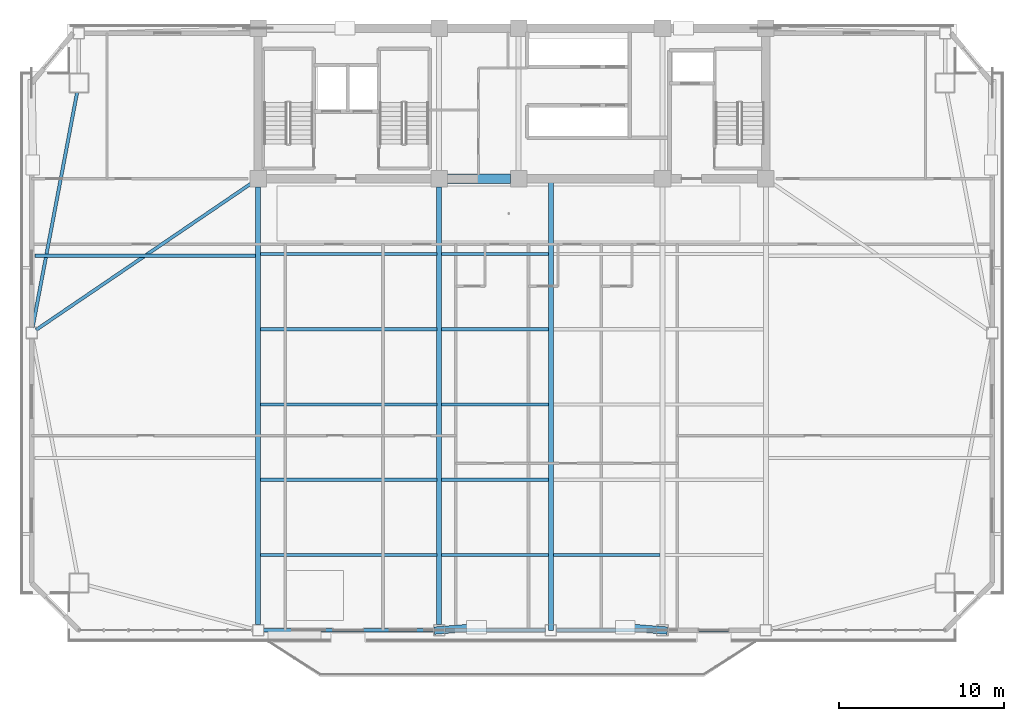
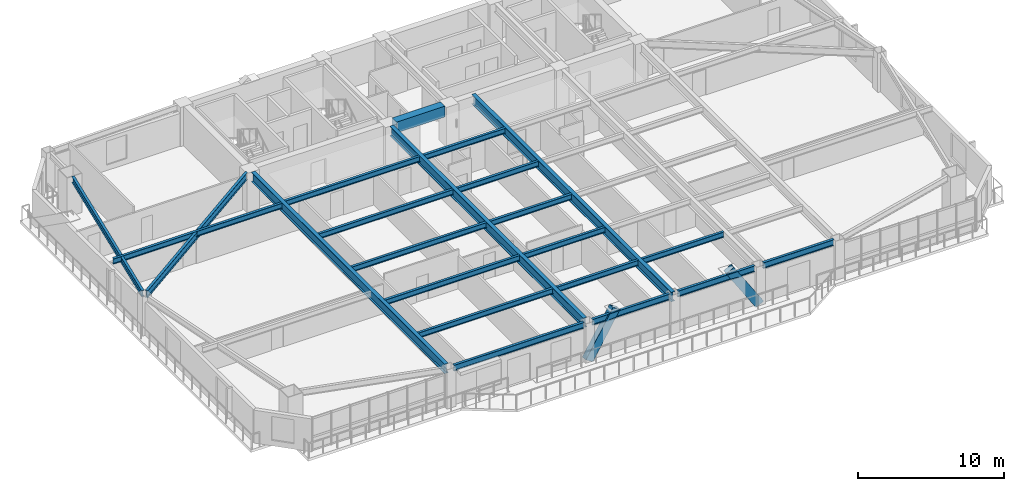
# One storey, part 3 of 15: 22 beams, 2 members.
"""IFC4 building model written with IfcOpenShell, lengths in metres."""

from ifc_helpers import new_model, si_unit, direction, frame, origin, origin_2d, place, context, subcontext, project, spatial, rectangle, hollow_rectangle, i_section, extrude, source, transform, mapped, material, material_profile, profile_set, type_object, element, save


model = new_model("IFC4")

# Units and contexts
model_context = context("Model", 3, precision=1e-05, world=origin(), true_north=direction((0.0, 1.0)))
body_context = subcontext(model_context, "Body", "Model", "MODEL_VIEW")
ifc_project = project(units=[si_unit("LENGTHUNIT", "METRE"), si_unit("AREAUNIT", "SQUARE_METRE"), si_unit("VOLUMEUNIT", "CUBIC_METRE"), si_unit("PLANEANGLEUNIT", "RADIAN"), si_unit("MASSUNIT", "GRAM", prefix="KILO")], contexts=[model_context])

# Site, building, storey
site_placement = place(None, origin())
site = spatial("IfcSite", under=ifc_project, at=site_placement, CompositionType="ELEMENT")
building_placement = place(site_placement, origin())
building = spatial("IfcBuilding", under=site, at=building_placement, Name="Giltprow Tower", CompositionType="ELEMENT")
storey_placement = place(building_placement, frame((0.0, 0.0, 180.699951171875)))
storey = spatial("IfcBuildingStorey", under=building, at=storey_placement, Name="L45", CompositionType="ELEMENT", Elevation=180.699951171875)

# Beams
ifc_material_1 = material(Name="Structural steel Q355B", Category="steel")
ifc_material_profile_1 = material_profile(ifc_material_1, i_section(OverallWidth=0.199951171875, OverallDepth=0.449951171875, WebThickness=0.009033203125, FlangeThickness=0.013916015625, at=origin_2d()), Name="HN 450x200x9x14")
ifc_profile_set_1 = profile_set([ifc_material_profile_1], Name="Structural steel Q355B")
beam_type_1 = type_object("IfcBeamType", Name="BM-JOIST-HN450", PredefinedType="JOIST", material=ifc_profile_set_1)
shared_shape_1 = source(origin(), body_context, "Body", "SweptSolid", [
    extrude(i_section(OverallWidth=0.199951171875, OverallDepth=0.449951171875, WebThickness=0.009033203125, FlangeThickness=0.013916015625, at=origin_2d()), origin(), (0.0, 0.0, 1.0), 10.659912109375),
])
for number, where, z_axis, x_axis, name in (
    (1, (19.9951171875, 14.702880859375, 3.045166015625), (1.0, 0.0, 0.0), (0.0, 1.0, 0.0), "L45 Composite Floor Joist 1-1"),
    (2, (19.9951171875, 19.2529296875, 3.045166015625), (1.0, 0.0, 0.0), (0.0, 1.0, 0.0), "L45 Composite Floor Joist 2-1"),
    (3, (19.9951171875, 23.802001953125, 3.045166015625), (1.0, 0.0, 0.0), (0.0, 1.0, 0.0), "L45 Composite Floor Joist 3-1"),
    (4, (19.9951171875, 28.35107421875, 3.045166015625), (1.0, 0.0, 0.0), (0.0, 1.0, 0.0), "L45 Composite Floor Joist 4-1"),
    (5, (19.9951171875, 32.90087890625, 3.045166015625), (1.0, 0.0, 0.0), (0.0, 1.0, 0.0), "L45 Composite Floor Joist 5-1"),
):
    element("IfcBeam", number, at=place(storey_placement, frame(where, z_axis=z_axis, x_axis=x_axis)), inside=storey, type_object=beam_type_1, Name=name, PredefinedType="JOIST", context=body_context, shape_type="MappedRepresentation", body=[
        mapped(shared_shape_1, transform((0.0, 0.0, 0.0), x_axis=(1.0, 0.0, 0.0), y_axis=(0.0, 1.0, 0.0), z_axis=(0.0, 0.0, 1.0), scale=1.0)),
    ])
shared_shape_2 = source(origin(), body_context, "Body", "SweptSolid", [
    extrude(i_section(OverallWidth=0.199951171875, OverallDepth=0.449951171875, WebThickness=0.009033203125, FlangeThickness=0.013916015625, at=origin_2d()), origin(), (0.0, 0.0, 1.0), 6.4599609375),
])
for number, where, z_axis, x_axis, name in (
    (6, (30.945068359375, 14.702880859375, 3.045166015625), (1.0, 0.0, 0.0), (0.0, 1.0, 0.0), "L45 Composite Floor Joist 1-2"),
    (7, (37.695068359375, 14.702880859375, 3.045166015625), (1.0, 0.0, 0.0), (0.0, 1.0, 0.0), "L45 Composite Floor Joist 1-3"),
    (8, (30.945068359375, 19.2529296875, 3.045166015625), (1.0, 0.0, 0.0), (0.0, 1.0, 0.0), "L45 Composite Floor Joist 2-2"),
    (9, (30.945068359375, 23.802001953125, 3.045166015625), (1.0, 0.0, 0.0), (0.0, 1.0, 0.0), "L45 Composite Floor Joist 3-2"),
    (10, (30.945068359375, 28.35107421875, 3.045166015625), (1.0, 0.0, 0.0), (0.0, 1.0, 0.0), "L45 Composite Floor Joist 4-2"),
    (11, (30.945068359375, 32.90087890625, 3.045166015625), (1.0, 0.0, 0.0), (0.0, 1.0, 0.0), "L45 Composite Floor Joist 5-2"),
):
    element("IfcBeam", number, at=place(storey_placement, frame(where, z_axis=z_axis, x_axis=x_axis)), inside=storey, type_object=beam_type_1, Name=name, PredefinedType="JOIST", context=body_context, shape_type="MappedRepresentation", body=[
        mapped(shared_shape_2, transform((0.0, 0.0, 0.0), x_axis=(1.0, 0.0, 0.0), y_axis=(0.0, 1.0, 0.0), z_axis=(0.0, 0.0, 1.0), scale=1.0)),
    ])
ifc_material_2 = material(Name="Concrete C50", Category="concrete")
ifc_material_profile_2 = material_profile(ifc_material_2, rectangle(XDim=0.60009765625, YDim=0.89990234375, at=origin_2d()), Name="RC 900x600")
ifc_profile_set_2 = profile_set([ifc_material_profile_2], Name="Concrete C50")
beam_type_2 = type_object("IfcBeamType", Name="BM-CPL-RC900", PredefinedType="LINTEL", material=ifc_profile_set_2)
shared_shape_3 = source(origin(), body_context, "Body", "SweptSolid", [
    extrude(rectangle(XDim=0.60009765625, YDim=0.89990234375, at=origin_2d()), origin(), (0.0, 0.0, 1.0), 3.830078125),
])
beam_1_placement = place(storey_placement, frame((31.284912109375, 37.449951171875, 2.820068359375), z_axis=(1.0, 0.0, 0.0), x_axis=(0.0, 1.0, 0.0)))
element("IfcBeam", 12, at=beam_1_placement, inside=storey, type_object=beam_type_2, Name="L45 Core Coupling Beam CB-1", PredefinedType="LINTEL", context=body_context, shape_type="MappedRepresentation", body=[
    mapped(shared_shape_3, transform((0.0, 0.0, 0.0), x_axis=(1.0, 0.0, 0.0), y_axis=(0.0, 1.0, 0.0), z_axis=(0.0, 0.0, 1.0), scale=1.0)),
])
ifc_material_profile_3 = material_profile(ifc_material_1, i_section(OverallWidth=0.199951171875, OverallDepth=0.5, WebThickness=0.010009765625, FlangeThickness=0.01611328125, at=origin_2d()), Name="HN 500x200x10x16")
ifc_profile_set_3 = profile_set([ifc_material_profile_3], Name="Structural steel Q355B")
beam_type_3 = type_object("IfcBeamType", Name="BM-SPAN-HN500", PredefinedType="SPANDREL", material=ifc_profile_set_3)
shared_shape_4 = source(origin(), body_context, "Body", "SweptSolid", [
    extrude(i_section(OverallWidth=0.199951171875, OverallDepth=0.5, WebThickness=0.010009765625, FlangeThickness=0.01611328125, at=origin_2d()), origin(), (0.0, 0.0, 1.0), 10.280029296875),
])
beam_2_placement = place(storey_placement, frame((20.18505859375, 10.154052734375, 3.02001953125), z_axis=(1.0, 0.0, 0.0), x_axis=(0.0, 1.0, 0.0)))
element("IfcBeam", 13, at=beam_2_placement, inside=storey, type_object=beam_type_3, Name="L45 Perimeter Spandrel Beam S1-S2", PredefinedType="SPANDREL", context=body_context, shape_type="MappedRepresentation", body=[
    mapped(shared_shape_4, transform((0.0, 0.0, 0.0), x_axis=(1.0, 0.0, 0.0), y_axis=(0.0, 1.0, 0.0), z_axis=(0.0, 0.0, 1.0), scale=1.0)),
])
shared_shape_5 = source(origin(), body_context, "Body", "SweptSolid", [
    extrude(i_section(OverallWidth=0.199951171875, OverallDepth=0.5, WebThickness=0.010009765625, FlangeThickness=0.01611328125, at=origin_2d()), origin(), (0.0, 0.0, 1.0), 6.080078125),
])
for number, where, z_axis, x_axis, name in (
    (14, (31.135009765625, 10.154052734375, 3.02001953125), (1.0, 0.0, 0.0), (0.0, 1.0, 0.0), "L45 Perimeter Spandrel Beam S2-S_MID"),
    (15, (37.885009765625, 10.154052734375, 3.02001953125), (1.0, 0.0, 0.0), (0.0, 1.0, 0.0), "L45 Perimeter Spandrel Beam S_MID-S3"),
):
    element("IfcBeam", number, at=place(storey_placement, frame(where, z_axis=z_axis, x_axis=x_axis)), inside=storey, type_object=beam_type_3, Name=name, PredefinedType="SPANDREL", context=body_context, shape_type="MappedRepresentation", body=[
        mapped(shared_shape_5, transform((0.0, 0.0, 0.0), x_axis=(1.0, 0.0, 0.0), y_axis=(0.0, 1.0, 0.0), z_axis=(0.0, 0.0, 1.0), scale=1.0)),
    ])
shared_shape_6 = source(origin(), body_context, "Body", "SweptSolid", [
    extrude(i_section(OverallWidth=0.199951171875, OverallDepth=0.5, WebThickness=0.010009765625, FlangeThickness=0.01611328125, at=origin_2d()), origin(), (0.0, 0.0, 1.0), 5.580078125),
])
beam_3_placement = place(storey_placement, frame((44.635009765625, 10.154052734375, 3.02001953125), z_axis=(1.0, 0.0, 0.0), x_axis=(0.0, 1.0, 0.0)))
element("IfcBeam", 16, at=beam_3_placement, inside=storey, type_object=beam_type_3, Name="L45 Perimeter Spandrel Beam S3-S4", PredefinedType="SPANDREL", context=body_context, shape_type="MappedRepresentation", body=[
    mapped(shared_shape_6, transform((0.0, 0.0, 0.0), x_axis=(1.0, 0.0, 0.0), y_axis=(0.0, 1.0, 0.0), z_axis=(0.0, 0.0, 1.0), scale=1.0)),
])
shared_shape_7 = source(origin(), body_context, "Body", "SweptSolid", [
    extrude(i_section(OverallWidth=0.199951171875, OverallDepth=0.5, WebThickness=0.010009765625, FlangeThickness=0.01611328125, at=origin_2d()), origin(), (0.0, 0.0, 1.0), 14.46044921875),
])
beam_4_placement = place(storey_placement, frame((8.906005859375, 42.6640625, 3.02001953125), z_axis=(-0.186021185186, -0.982545733624, 0.0), x_axis=(0.982545733624, -0.186021185186, 0.0)))
element("IfcBeam", 17, at=beam_4_placement, inside=storey, type_object=beam_type_3, Name="L45 Perimeter Spandrel Beam MC_NW-W_MID", PredefinedType="SPANDREL", context=body_context, shape_type="MappedRepresentation", body=[
    mapped(shared_shape_7, transform((0.0, 0.0, 0.0), x_axis=(1.0, 0.0, 0.0), y_axis=(0.0, 1.0, 0.0), z_axis=(0.0, 0.0, 1.0), scale=1.0)),
])
ifc_material_profile_4 = material_profile(ifc_material_1, i_section(OverallWidth=0.300048828125, OverallDepth=0.800048828125, WebThickness=0.013916015625, FlangeThickness=0.02587890625, at=origin_2d()), Name="HN 800x300x14x26")
ifc_profile_set_4 = profile_set([ifc_material_profile_4], Name="Structural steel Q355B")
beam_type_4 = type_object("IfcBeamType", Name="BM-GIRD-HN800", PredefinedType="BEAM", material=ifc_profile_set_4)
shared_shape_8 = source(origin(), body_context, "Body", "SweptSolid", [
    extrude(i_section(OverallWidth=0.300048828125, OverallDepth=0.800048828125, WebThickness=0.013916015625, FlangeThickness=0.02587890625, at=origin_2d()), origin(), (0.0, 0.0, 1.0), 26.47607421875),
])
for number, where, z_axis, x_axis, name in (
    (18, (19.85009765625, 10.489013671875, 2.8701171875), (0.0, 1.0, 0.0), (-1.0, 0.0, 0.0), "L45 Primary Lease Girder S1"),
    (19, (30.800048828125, 10.489013671875, 2.8701171875), (0.0, 1.0, 0.0), (-1.0, 0.0, 0.0), "L45 Primary Lease Girder S2"),
):
    element("IfcBeam", number, at=place(storey_placement, frame(where, z_axis=z_axis, x_axis=x_axis)), inside=storey, type_object=beam_type_4, Name=name, PredefinedType="BEAM", context=body_context, shape_type="MappedRepresentation", body=[
        mapped(shared_shape_8, transform((0.0, 0.0, 0.0), x_axis=(1.0, 0.0, 0.0), y_axis=(0.0, 1.0, 0.0), z_axis=(0.0, 0.0, 1.0), scale=1.0)),
    ])
shared_shape_9 = source(origin(), body_context, "Body", "SweptSolid", [
    extrude(i_section(OverallWidth=0.300048828125, OverallDepth=0.800048828125, WebThickness=0.013916015625, FlangeThickness=0.02587890625, at=origin_2d()), origin(), (0.0, 0.0, 1.0), 27.2958984375),
])
beam_5_placement = place(storey_placement, frame((37.550048828125, 10.154052734375, 2.8701171875), z_axis=(0.0, 1.0, 0.0), x_axis=(-1.0, 0.0, 0.0)))
element("IfcBeam", 20, at=beam_5_placement, inside=storey, type_object=beam_type_4, Name="L45 Central Lease Girder SMID", PredefinedType="BEAM", context=body_context, shape_type="MappedRepresentation", body=[
    mapped(shared_shape_9, transform((0.0, 0.0, 0.0), x_axis=(1.0, 0.0, 0.0), y_axis=(0.0, 1.0, 0.0), z_axis=(0.0, 0.0, 1.0), scale=1.0)),
])
ifc_material_profile_5 = material_profile(ifc_material_1, i_section(OverallWidth=0.199951171875, OverallDepth=0.60009765625, WebThickness=0.010986328125, FlangeThickness=0.01708984375, at=origin_2d()), Name="HN 600x200x11x17")
ifc_profile_set_5 = profile_set([ifc_material_profile_5], Name="Structural steel Q355B")
beam_type_5 = type_object("IfcBeamType", Name="BM-GIRD-HN600", PredefinedType="BEAM", material=ifc_profile_set_5)
shared_shape_10 = source(origin(), body_context, "Body", "SweptSolid", [
    extrude(i_section(OverallWidth=0.199951171875, OverallDepth=0.60009765625, WebThickness=0.010986328125, FlangeThickness=0.01708984375, at=origin_2d()), origin(), (0.0, 0.0, 1.0), 15.74755859375),
])
beam_6_placement = place(storey_placement, frame((6.430908203125, 28.31591796875, 2.969970703125), z_axis=(0.826666606426, 0.562692031061, 0.0), x_axis=(-0.562692031061, 0.826666606426, 0.0)))
element("IfcBeam", 21, at=beam_6_placement, inside=storey, type_object=beam_type_5, Name="L45 West Wing Primary Girder", PredefinedType="BEAM", context=body_context, shape_type="MappedRepresentation", body=[
    mapped(shared_shape_10, transform((0.0, 0.0, 0.0), x_axis=(1.0, 0.0, 0.0), y_axis=(0.0, 1.0, 0.0), z_axis=(0.0, 0.0, 1.0), scale=1.0)),
])
shared_shape_11 = source(origin(), body_context, "Body", "SweptSolid", [
    extrude(i_section(OverallWidth=0.199951171875, OverallDepth=0.449951171875, WebThickness=0.009033203125, FlangeThickness=0.013916015625, at=origin_2d()), origin(), (0.0, 0.0, 1.0), 13.3310546875),
])
beam_7_placement = place(storey_placement, frame((6.3740234375, 32.7880859375, 3.045166015625), z_axis=(1.0, 0.0, 0.0), x_axis=(0.0, 1.0, 0.0)))
element("IfcBeam", 22, at=beam_7_placement, inside=storey, type_object=beam_type_1, Name="L45 West Wing Floor Joist 2", PredefinedType="JOIST", context=body_context, shape_type="MappedRepresentation", body=[
    mapped(shared_shape_11, transform((0.0, 0.0, 0.0), x_axis=(1.0, 0.0, 0.0), y_axis=(0.0, 1.0, 0.0), z_axis=(0.0, 0.0, 1.0), scale=1.0)),
])

# Members
ifc_material_3 = material(Name="Structural steel Q420GJC", Category="steel")
ifc_material_profile_6 = material_profile(ifc_material_3, hollow_rectangle(XDim=0.449951171875, YDim=0.699951171875, WallThickness=0.031982421875, at=origin_2d()), Name="RHS 700x450x32")
ifc_profile_set_6 = profile_set([ifc_material_profile_6], Name="Structural steel Q420GJC")
member_type = type_object("IfcMemberType", Name="MBR-MEGA-RHS700", PredefinedType="BRACE", material=ifc_profile_set_6)
shared_shape_12 = source(origin(), body_context, "Body", "SweptSolid", [
    extrude(hollow_rectangle(XDim=0.449951171875, YDim=0.699951171875, WallThickness=0.031982421875, at=origin_2d()), origin(), (0.0, 0.0, 1.0), 4.16455078125),
])
for number, where, z_axis, x_axis, name in (
    (23, (30.800048828125, 10.154052734375, 0.0), (0.540279671298, 0.042033477031, 0.840435044242), (-0.077565091902, 0.996987290049, 0.0), "L45 Chevron Mega-Brace S-L"),
    (24, (44.300048828125, 10.154052734375, 0.0), (-0.540279671298, 0.042033477031, 0.840435044242), (-0.077565091902, -0.996987290049, 0.0), "L45 Chevron Mega-Brace S-R"),
):
    element("IfcMember", number, at=place(storey_placement, frame(where, z_axis=z_axis, x_axis=x_axis)), inside=storey, type_object=member_type, Name=name, PredefinedType="BRACE", context=body_context, shape_type="MappedRepresentation", body=[
        mapped(shared_shape_12, transform((0.0, 0.0, 0.0), x_axis=(1.0, 0.0, 0.0), y_axis=(0.0, 1.0, 0.0), z_axis=(0.0, 0.0, 1.0), scale=1.0)),
    ])

save(model, "model.ifc")
